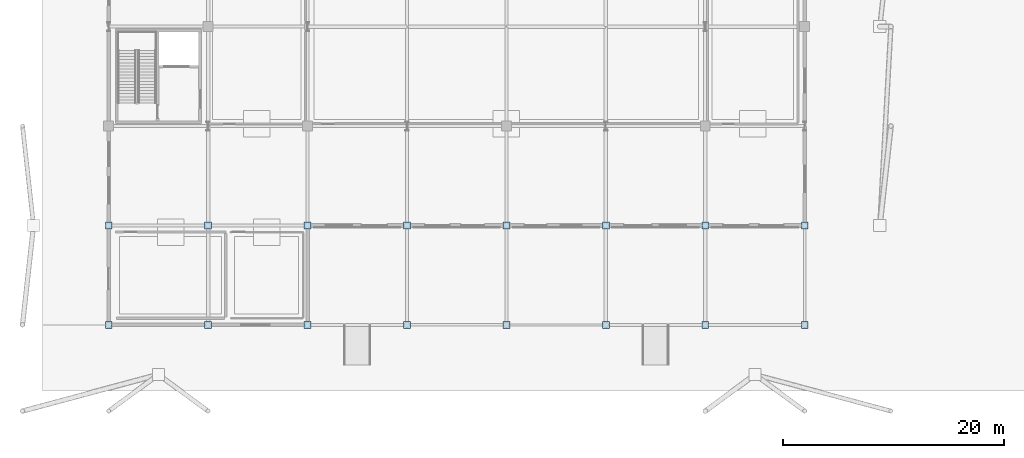
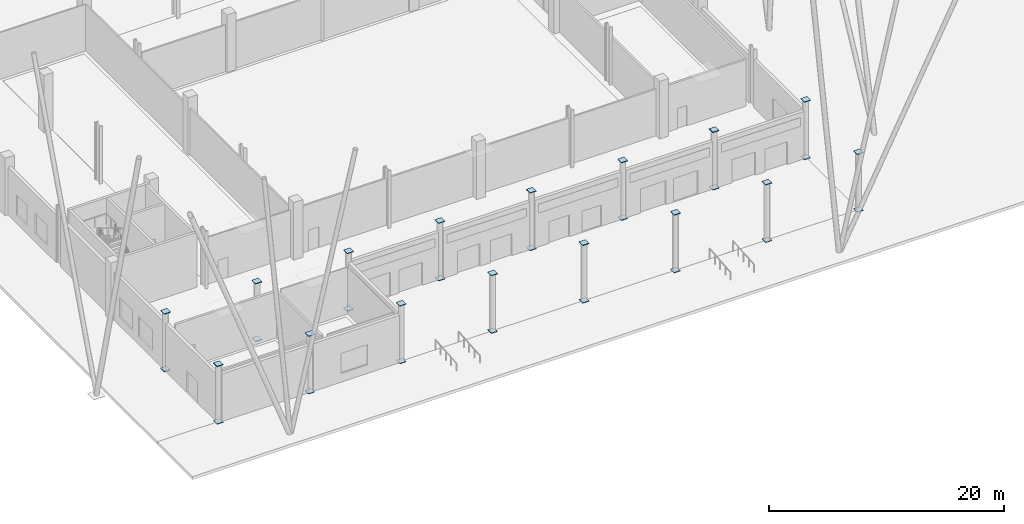
# One storey, part 26 of 58: 32 plates.
"""IFC4 building model written with IfcOpenShell, lengths in metres."""

from ifc_helpers import new_model, si_unit, direction, frame, origin, origin_2d, place, context, subcontext, project, spatial, rectangle, extrude, material, layer, layer_set, type_object, element, save


model = new_model("IFC4")

# Units and contexts
model_context = context("Model", 3, precision=1e-05, world=origin(), true_north=direction((0.0, 1.0)))
body_context = subcontext(model_context, "Body", "Model", "MODEL_VIEW")
ifc_project = project(units=[si_unit("LENGTHUNIT", "METRE"), si_unit("AREAUNIT", "SQUARE_METRE"), si_unit("VOLUMEUNIT", "CUBIC_METRE"), si_unit("PLANEANGLEUNIT", "RADIAN"), si_unit("MASSUNIT", "GRAM", prefix="KILO")], contexts=[model_context])

# Site, building, storey
site_placement = place(None, origin())
site = spatial("IfcSite", under=ifc_project, at=site_placement, CompositionType="ELEMENT")
building_placement = place(site_placement, origin())
building = spatial("IfcBuilding", under=site, at=building_placement, Name="Barlavento Convention Centre", CompositionType="ELEMENT")
storey_placement = place(building_placement, origin())
storey = spatial("IfcBuildingStorey", under=building, at=storey_placement, Name="L00", CompositionType="ELEMENT", Elevation=0.0)

# Plates
ifc_material = material(Name="Steel S355", Category="steel")
ifc_layer = layer(ifc_material, 0.06005859375)
ifc_layer_set = layer_set([ifc_layer], Name="STR-PLT-CAP-620")
plate_type = type_object("IfcPlateType", Name="STR-PLT-CAP-620", PredefinedType="SHEET", material=ifc_layer_set)
for number, where, z_axis, x_axis, name in (
    (1, (0.0, 0.0, 5.969970703125), (0.0, 0.0, 1.0), (1.0, 0.0, 0.0), "Hollow column sealing end-cap plate EC04"),
    (2, (0.0, 0.0, -0.030029296875), (0.0, 0.0, 1.0), (1.0, 0.0, 0.0), "Hollow column sealing end-cap plate EC04"),
    (3, (0.0, 9.0, 5.969970703125), (0.0, 0.0, 1.0), (1.0, 0.0, 0.0), "Hollow column sealing end-cap plate EC04"),
    (4, (0.0, 9.0, -0.030029296875), (0.0, 0.0, 1.0), (1.0, 0.0, 0.0), "Hollow column sealing end-cap plate EC04"),
    (5, (9.0, 0.0, 5.969970703125), (0.0, 0.0, 1.0), (1.0, 0.0, 0.0), "Hollow column sealing end-cap plate EC04"),
    (6, (9.0, 0.0, -0.030029296875), (0.0, 0.0, 1.0), (1.0, 0.0, 0.0), "Hollow column sealing end-cap plate EC04"),
    (7, (9.0, 9.0, 5.969970703125), (0.0, 0.0, 1.0), (1.0, 0.0, 0.0), "Hollow column sealing end-cap plate EC04"),
    (8, (9.0, 9.0, -0.030029296875), (0.0, 0.0, 1.0), (1.0, 0.0, 0.0), "Hollow column sealing end-cap plate EC04"),
    (9, (18.0, 0.0, 5.969970703125), (0.0, 0.0, 1.0), (1.0, 0.0, 0.0), "Hollow column sealing end-cap plate EC04"),
    (10, (18.0, 0.0, -0.030029296875), (0.0, 0.0, 1.0), (1.0, 0.0, 0.0), "Hollow column sealing end-cap plate EC04"),
    (11, (18.0, 9.0, 5.969970703125), (0.0, 0.0, 1.0), (1.0, 0.0, 0.0), "Hollow column sealing end-cap plate EC04"),
    (12, (18.0, 9.0, -0.030029296875), (0.0, 0.0, 1.0), (1.0, 0.0, 0.0), "Hollow column sealing end-cap plate EC04"),
    (13, (27.0, 0.0, 5.969970703125), (0.0, 0.0, 1.0), (1.0, 0.0, 0.0), "Hollow column sealing end-cap plate EC04"),
    (14, (27.0, 0.0, -0.030029296875), (0.0, 0.0, 1.0), (1.0, 0.0, 0.0), "Hollow column sealing end-cap plate EC04"),
    (15, (27.0, 9.0, 5.969970703125), (0.0, 0.0, 1.0), (1.0, 0.0, 0.0), "Hollow column sealing end-cap plate EC04"),
    (16, (27.0, 9.0, -0.030029296875), (0.0, 0.0, 1.0), (1.0, 0.0, 0.0), "Hollow column sealing end-cap plate EC04"),
    (17, (36.0, 0.0, 5.969970703125), (0.0, 0.0, 1.0), (1.0, 0.0, 0.0), "Hollow column sealing end-cap plate EC04"),
    (18, (36.0, 0.0, -0.030029296875), (0.0, 0.0, 1.0), (1.0, 0.0, 0.0), "Hollow column sealing end-cap plate EC04"),
    (19, (36.0, 9.0, 5.969970703125), (0.0, 0.0, 1.0), (1.0, 0.0, 0.0), "Hollow column sealing end-cap plate EC04"),
    (20, (36.0, 9.0, -0.030029296875), (0.0, 0.0, 1.0), (1.0, 0.0, 0.0), "Hollow column sealing end-cap plate EC04"),
    (21, (45.0, 0.0, 5.969970703125), (0.0, 0.0, 1.0), (1.0, 0.0, 0.0), "Hollow column sealing end-cap plate EC04"),
    (22, (45.0, 0.0, -0.030029296875), (0.0, 0.0, 1.0), (1.0, 0.0, 0.0), "Hollow column sealing end-cap plate EC04"),
    (23, (45.0, 9.0, 5.969970703125), (0.0, 0.0, 1.0), (1.0, 0.0, 0.0), "Hollow column sealing end-cap plate EC04"),
    (24, (45.0, 9.0, -0.030029296875), (0.0, 0.0, 1.0), (1.0, 0.0, 0.0), "Hollow column sealing end-cap plate EC04"),
    (25, (54.0, 0.0, 5.969970703125), (0.0, 0.0, 1.0), (1.0, 0.0, 0.0), "Hollow column sealing end-cap plate EC04"),
    (26, (54.0, 0.0, -0.030029296875), (0.0, 0.0, 1.0), (1.0, 0.0, 0.0), "Hollow column sealing end-cap plate EC04"),
    (27, (54.0, 9.0, 5.969970703125), (0.0, 0.0, 1.0), (1.0, 0.0, 0.0), "Hollow column sealing end-cap plate EC04"),
    (28, (54.0, 9.0, -0.030029296875), (0.0, 0.0, 1.0), (1.0, 0.0, 0.0), "Hollow column sealing end-cap plate EC04"),
    (29, (63.0, 0.0, 5.969970703125), (0.0, 0.0, 1.0), (1.0, 0.0, 0.0), "Hollow column sealing end-cap plate EC04"),
    (30, (63.0, 0.0, -0.030029296875), (0.0, 0.0, 1.0), (1.0, 0.0, 0.0), "Hollow column sealing end-cap plate EC04"),
    (31, (63.0, 9.0, 5.969970703125), (0.0, 0.0, 1.0), (1.0, 0.0, 0.0), "Hollow column sealing end-cap plate EC04"),
    (32, (63.0, 9.0, -0.030029296875), (0.0, 0.0, 1.0), (1.0, 0.0, 0.0), "Hollow column sealing end-cap plate EC04"),
):
    element("IfcPlate", number, at=place(storey_placement, frame(where, z_axis=z_axis, x_axis=x_axis)), inside=storey, type_object=plate_type, Name=name, PredefinedType="SHEET", context=body_context, shape_type="SweptSolid", body=[
        extrude(rectangle(XDim=0.6201171875, YDim=0.6201171875, at=origin_2d()), origin(), (0.0, 0.0, 1.0), 0.06005859375),
    ])

save(model, "model.ifc")
